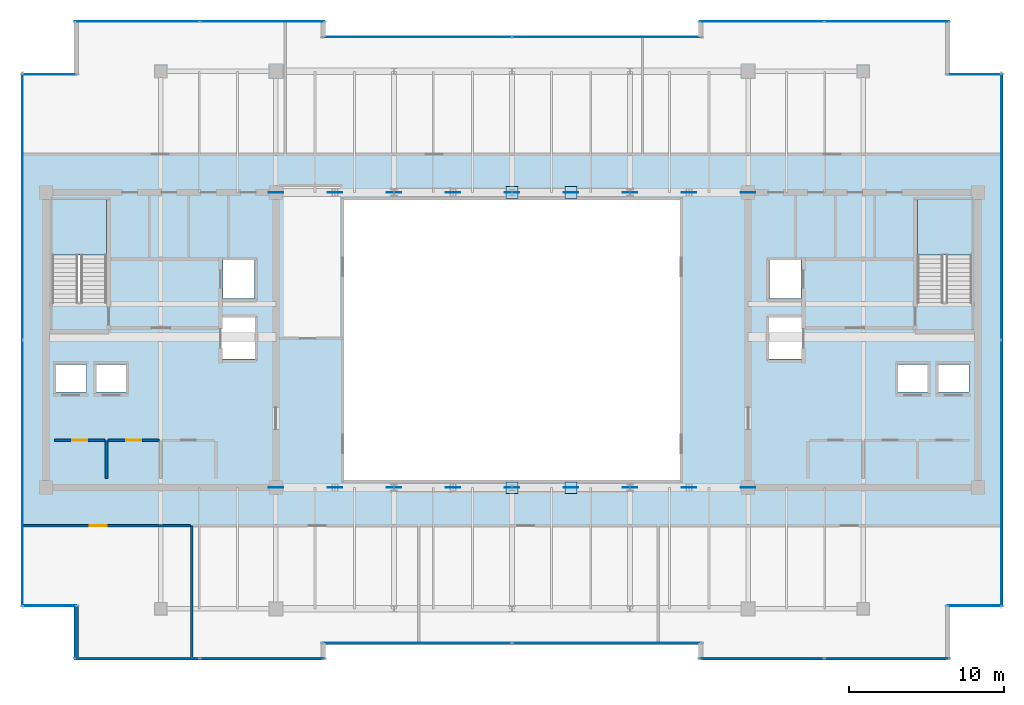
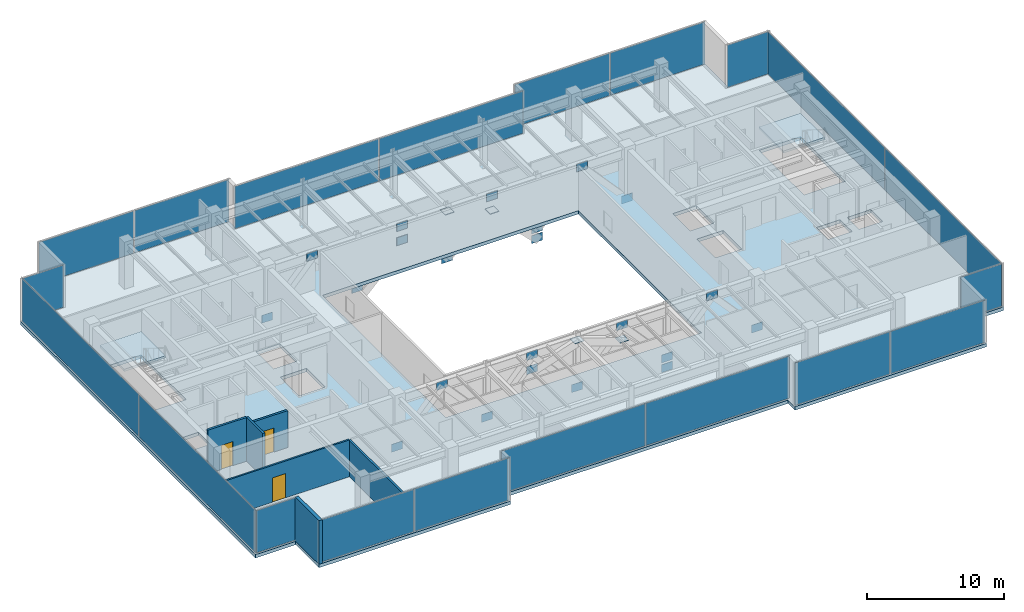
# One storey, part 25 of 32: 46 plates, 6 walls, 3 doors, 3 slabs, 3 openings, 14 elements without a shape of their own.
"""IFC4 building model written with IfcOpenShell, lengths in metres."""

from ifc_helpers import new_model, si_unit, direction, frame, frame_2d, origin, origin_2d, place, context, subcontext, project, spatial, polyline, rectangle, outline, extrude, source, transform, mapped, material, layer, layer_set, type_object, type_shapes, element, fill, aggregate, save


model = new_model("IFC4")

# Units and contexts
model_context = context("Model", 3, precision=1e-05, world=origin(), true_north=direction((0.0, 1.0)))
body_context = subcontext(model_context, "Body", "Model", "MODEL_VIEW")
ifc_project = project(units=[si_unit("LENGTHUNIT", "METRE"), si_unit("AREAUNIT", "SQUARE_METRE"), si_unit("VOLUMEUNIT", "CUBIC_METRE"), si_unit("PLANEANGLEUNIT", "RADIAN"), si_unit("MASSUNIT", "GRAM", prefix="KILO")], contexts=[model_context])

# Site, building, storey
site_placement = place(None, origin())
site = spatial("IfcSite", under=ifc_project, at=site_placement, CompositionType="ELEMENT")
building_placement = place(site_placement, origin())
building = spatial("IfcBuilding", under=site, at=building_placement, Name="Haelvirn Gate Laboratories", CompositionType="ELEMENT")
storey_placement = place(building_placement, frame((0.0, 0.0, 314.39990234375)))
storey = spatial("IfcBuildingStorey", under=building, at=storey_placement, Name="L75", CompositionType="ELEMENT", Elevation=314.39990234375)

# Stair, slab
ifc_material_1 = material(Name="Concrete C40/50", Category="concrete")
stair_type = type_object("IfcStairType", Name="ST-DOG-1650-R24", PredefinedType="HALF_TURN_STAIR", material=ifc_material_1)
stair_1_placement = place(storey_placement, origin())
stair_1 = element("IfcStair", 1, at=stair_1_placement, inside=storey, type_object=stair_type, Name="L75 Escape Stair ST1", PredefinedType="HALF_TURN_STAIR")
ifc_layer_1 = layer(ifc_material_1, 0.199951171875, Name="SL-STAIR-LND")
ifc_layer_set_1 = layer_set([ifc_layer_1], Name="Concrete C40/50")
slab_type_1 = type_object("IfcSlabType", Name="SL-STAIR-LND", PredefinedType="LANDING", material=ifc_layer_set_1)
slab_1_placement = place(storey_placement, frame((0.0, 0.0, 1.900146484375)))
slab_1 = element("IfcSlab", 2, at=slab_1_placement, type_object=slab_type_1, Name="ST1 landing 1", PredefinedType="LANDING", context=body_context, shape_type="SweptSolid", body=[
    extrude(outline(polyline([(11.300048828125, 29.780029296875), (11.300048828125, 33.35009765625), (7.800048828125, 33.35009765625), (7.800048828125, 29.780029296875), (11.300048828125, 29.780029296875)])), origin(), (0.0, 0.0, 1.0), 0.199951171875),
])
aggregate(stair_1, [slab_1])

stair_2_placement = place(storey_placement, origin())
stair_2 = element("IfcStair", 3, at=stair_2_placement, inside=storey, type_object=stair_type, Name="L75 Escape Stair ST2", PredefinedType="HALF_TURN_STAIR")
slab_2_placement = place(storey_placement, frame((0.0, 0.0, 1.900146484375)))
slab_2 = element("IfcSlab", 4, at=slab_2_placement, type_object=slab_type_1, Name="ST2 landing 1", PredefinedType="LANDING", context=body_context, shape_type="SweptSolid", body=[
    extrude(outline(polyline([(67.0, 29.780029296875), (67.0, 33.35009765625), (63.5, 33.35009765625), (63.5, 29.780029296875), (67.0, 29.780029296875)])), origin(), (0.0, 0.0, 1.0), 0.199951171875),
])
aggregate(stair_2, [slab_2])

# Slab
ifc_layer_2 = layer(ifc_material_1, 0.300048828125, Name="SL-Z3-300")
ifc_layer_set_2 = layer_set([ifc_layer_2], Name="Concrete C40/50")
slab_type_2 = type_object("IfcSlabType", Name="SL-Z3-300", PredefinedType="FLOOR", material=ifc_layer_set_2)
slab_3_placement = place(storey_placement, frame((0.0, 0.0, -0.2998046875)))
element("IfcSlab", 5, at=slab_3_placement, inside=storey, type_object=slab_type_2, Name="L75 Structural Slab MAIN", PredefinedType="FLOOR", context=body_context, shape_type="SweptSolid", body=[
    extrude(outline(polyline([(9.199951171875, 3.699951171875), (25.39990234375, 3.699951171875), (25.39990234375, 4.699951171875), (49.39990234375, 4.699951171875), (49.39990234375, 3.699951171875), (65.60009765625, 3.699951171875), (65.60009765625, 7.10009765625), (69.0, 7.10009765625), (69.0, 41.5), (65.60009765625, 41.5), (65.60009765625, 44.89990234375), (49.39990234375, 44.89990234375), (49.39990234375, 43.89990234375), (25.39990234375, 43.89990234375), (25.39990234375, 44.89990234375), (9.199951171875, 44.89990234375), (9.199951171875, 41.5), (5.800048828125, 41.5), (5.800048828125, 7.10009765625), (9.199951171875, 7.10009765625), (9.199951171875, 3.699951171875)]), holes=[polyline([(26.60009765625, 15.300048828125), (48.199951171875, 15.300048828125), (48.199951171875, 33.300048828125), (26.60009765625, 33.300048828125), (26.60009765625, 15.300048828125)]), polyline([(11.300048828125, 26.780029296875), (11.300048828125, 33.35009765625), (7.800048828125, 33.35009765625), (7.800048828125, 26.780029296875), (11.300048828125, 26.780029296875)]), polyline([(67.0, 26.780029296875), (67.0, 33.35009765625), (63.5, 33.35009765625), (63.5, 26.780029296875), (67.0, 26.780029296875)]), polyline([(7.989990234375, 20.969970703125), (10.010009765625, 20.969970703125), (10.010009765625, 22.7099609375), (7.989990234375, 22.7099609375), (7.989990234375, 20.969970703125)]), polyline([(10.590087890625, 20.969970703125), (12.610107421875, 20.969970703125), (12.610107421875, 22.7099609375), (10.590087890625, 22.7099609375), (10.590087890625, 20.969970703125)]), polyline([(18.7900390625, 26.969970703125), (20.81005859375, 26.969970703125), (20.81005859375, 29.510009765625), (18.7900390625, 29.510009765625), (18.7900390625, 26.969970703125)]), polyline([(18.68994140625, 23.070068359375), (20.909912109375, 23.070068359375), (20.909912109375, 25.81005859375), (18.68994140625, 25.81005859375), (18.68994140625, 23.070068359375)]), polyline([(64.7900390625, 20.969970703125), (66.81005859375, 20.969970703125), (66.81005859375, 22.7099609375), (64.7900390625, 22.7099609375), (64.7900390625, 20.969970703125)]), polyline([(62.18994140625, 20.969970703125), (64.2099609375, 20.969970703125), (64.2099609375, 22.7099609375), (62.18994140625, 22.7099609375), (62.18994140625, 20.969970703125)]), polyline([(53.989990234375, 26.969970703125), (56.010009765625, 26.969970703125), (56.010009765625, 29.510009765625), (53.989990234375, 29.510009765625), (53.989990234375, 26.969970703125)]), polyline([(53.889892578125, 23.070068359375), (56.110107421875, 23.070068359375), (56.110107421875, 25.81005859375), (53.889892578125, 25.81005859375), (53.889892578125, 23.070068359375)])]), origin(), (0.0, 0.0, 1.0), 0.2998046875),
])

# Plates
ifc_material_2 = material(Name="Steel SM420", Category="steel")
ifc_layer_3 = layer(ifc_material_2, 0.033935546875, Name="PL-NODE-AN2")
ifc_layer_set_3 = layer_set([ifc_layer_3], Name="Steel SM420")
plate_type_1 = type_object("IfcPlateType", Name="PL-NODE-AN2", PredefinedType="USERDEFINED", material=ifc_layer_set_3)
shared_shape_1 = source(origin(), body_context, "Body", "SweptSolid", [
    extrude(rectangle(XDim=0.919921875, YDim=0.033935546875, at=origin_2d()), origin(), (0.0, 0.0, 1.0), 0.699951171875),
])
type_shapes(plate_type_1, [shared_shape_1])
for number, where, z_axis, x_axis, name in (
    (6, (33.60009765625, 14.800048828125, 1.83447265625), (0.0, 0.0, 1.0), (1.0, 0.0, 0.0), "L75 Steel Truss Node Plate AN2"),
    (7, (45.0, 14.800048828125, -1.96240234375), (0.0, 0.0, 1.0), (1.0, 0.0, 0.0), "L75 Steel Truss Node Plate AN2"),
    (8, (22.199951171875, 14.800048828125, -1.10009765625), (0.0, 0.0, 1.0), (1.0, 0.0, 0.0), "L75 Steel Truss Node Plate AN2"),
    (9, (26.0, 14.800048828125, 3.10009765625), (0.0, 0.0, 1.0), (1.0, 0.0, 0.0), "L75 Steel Truss Node Plate AN2"),
    (10, (29.800048828125, 14.800048828125, -1.10009765625), (0.0, 0.0, 1.0), (1.0, 0.0, 0.0), "L75 Steel Truss Node Plate AN2"),
    (11, (33.60009765625, 14.800048828125, 3.10009765625), (0.0, 0.0, 1.0), (1.0, 0.0, 0.0), "L75 Steel Truss Node Plate AN2"),
    (12, (37.39990234375, 14.800048828125, -1.10009765625), (0.0, 0.0, 1.0), (1.0, 0.0, 0.0), "L75 Steel Truss Node Plate AN2"),
    (13, (41.199951171875, 14.800048828125, 3.10009765625), (0.0, 0.0, 1.0), (1.0, 0.0, 0.0), "L75 Steel Truss Node Plate AN2"),
    (14, (45.0, 14.800048828125, -1.10009765625), (0.0, 0.0, 1.0), (1.0, 0.0, 0.0), "L75 Steel Truss Node Plate AN2"),
    (15, (48.800048828125, 14.800048828125, 3.10009765625), (0.0, 0.0, 1.0), (1.0, 0.0, 0.0), "L75 Steel Truss Node Plate AN2"),
    (16, (52.60009765625, 14.800048828125, -1.10009765625), (0.0, 0.0, 1.0), (1.0, 0.0, 0.0), "L75 Steel Truss Node Plate AN2"),
    (17, (33.60009765625, 33.800048828125, 1.83447265625), (0.0, 0.0, 1.0), (1.0, 0.0, 0.0), "L75 Steel Truss Node Plate AN2"),
    (18, (45.0, 33.800048828125, -1.96240234375), (0.0, 0.0, 1.0), (1.0, 0.0, 0.0), "L75 Steel Truss Node Plate AN2"),
    (19, (22.199951171875, 33.800048828125, -1.10009765625), (0.0, 0.0, 1.0), (1.0, 0.0, 0.0), "L75 Steel Truss Node Plate AN2"),
    (20, (26.0, 33.800048828125, 3.10009765625), (0.0, 0.0, 1.0), (1.0, 0.0, 0.0), "L75 Steel Truss Node Plate AN2"),
    (21, (29.800048828125, 33.800048828125, -1.10009765625), (0.0, 0.0, 1.0), (1.0, 0.0, 0.0), "L75 Steel Truss Node Plate AN2"),
    (22, (33.60009765625, 33.800048828125, 3.10009765625), (0.0, 0.0, 1.0), (1.0, 0.0, 0.0), "L75 Steel Truss Node Plate AN2"),
    (23, (37.39990234375, 33.800048828125, -1.10009765625), (0.0, 0.0, 1.0), (1.0, 0.0, 0.0), "L75 Steel Truss Node Plate AN2"),
    (24, (41.199951171875, 33.800048828125, 3.10009765625), (0.0, 0.0, 1.0), (1.0, 0.0, 0.0), "L75 Steel Truss Node Plate AN2"),
    (25, (45.0, 33.800048828125, -1.10009765625), (0.0, 0.0, 1.0), (1.0, 0.0, 0.0), "L75 Steel Truss Node Plate AN2"),
    (26, (48.800048828125, 33.800048828125, 3.10009765625), (0.0, 0.0, 1.0), (1.0, 0.0, 0.0), "L75 Steel Truss Node Plate AN2"),
    (27, (52.60009765625, 33.800048828125, -1.10009765625), (0.0, 0.0, 1.0), (1.0, 0.0, 0.0), "L75 Steel Truss Node Plate AN2"),
):
    element("IfcPlate", number, at=place(storey_placement, frame(where, z_axis=z_axis, x_axis=x_axis)), inside=storey, type_object=plate_type_1, Name=name, ObjectType="GUSSET_PLATE", PredefinedType="USERDEFINED", context=body_context, shape_type="MappedRepresentation", body=[
        mapped(shared_shape_1, transform((0.0, 0.0, 0.0), scale=1.0)),
    ])
ifc_layer_4 = layer(ifc_material_2, 0.031982421875, Name="PL-NODE-AN3")
ifc_layer_set_4 = layer_set([ifc_layer_4], Name="Steel SM420")
plate_type_2 = type_object("IfcPlateType", Name="PL-NODE-AN3", PredefinedType="SHEET", material=ifc_layer_set_4)
shared_shape_2 = source(origin(), body_context, "Body", "SweptSolid", [
    extrude(rectangle(XDim=0.75, YDim=0.75, at=origin_2d()), origin(), (0.0, 0.0, 1.0), 0.031982421875),
])
type_shapes(plate_type_2, [shared_shape_2])
for number, where, z_axis, x_axis, name in (
    (28, (37.39990234375, 14.800048828125, 3.43408203125), (0.0, 0.0, 1.0), (1.0, 0.0, 0.0), "L75 Steel Truss Node Plate AN3"),
    (29, (41.199951171875, 14.800048828125, 2.16845703125), (0.0, 0.0, 1.0), (1.0, 0.0, 0.0), "L75 Steel Truss Node Plate AN3"),
    (30, (37.39990234375, 33.800048828125, 3.43408203125), (0.0, 0.0, 1.0), (1.0, 0.0, 0.0), "L75 Steel Truss Node Plate AN3"),
    (31, (41.199951171875, 33.800048828125, 2.16845703125), (0.0, 0.0, 1.0), (1.0, 0.0, 0.0), "L75 Steel Truss Node Plate AN3"),
):
    element("IfcPlate", number, at=place(storey_placement, frame(where, z_axis=z_axis, x_axis=x_axis)), inside=storey, type_object=plate_type_2, Name=name, PredefinedType="SHEET", context=body_context, shape_type="MappedRepresentation", body=[
        mapped(shared_shape_2, transform((0.0, 0.0, 0.0), scale=1.0)),
    ])

# Curtain wall, plates
ifc_material_3 = material(Name="Anodised bronze unitised aluminium & triple low-E glass", Category="aluminium")
ifc_layer_5 = layer(ifc_material_3, 0.176025390625, Name="CW-SYS-4")
ifc_layer_set_5 = layer_set([ifc_layer_5], Name="Anodised bronze unitised aluminium & triple low-E glass")
curtain_wall_type_1 = type_object("IfcCurtainWallType", Name="CW-SYS-4", PredefinedType="NOTDEFINED", material=ifc_layer_set_5)
curtain_wall_1_placement = place(storey_placement, origin())
curtain_wall_1 = element("IfcCurtainWall", 32, at=curtain_wall_1_placement, inside=storey, type_object=curtain_wall_type_1, Name="L75 Unitised Curtain Wall CW-L75-P0-E02-1", PredefinedType="NOTDEFINED")
ifc_material_4 = material(Name="Acoustic laminated bronze triple IGU 36 mm", Category="glass")
ifc_layer_6 = layer(ifc_material_4, 0.035888671875, Name="CWP-IGU-36")
ifc_layer_set_6 = layer_set([ifc_layer_6], Name="Acoustic laminated bronze triple IGU 36 mm")
plate_type_3 = type_object("IfcPlateType", Name="CWP-IGU-36", PredefinedType="CURTAIN_PANEL", material=ifc_layer_set_6)
shared_shape_3 = source(origin(), body_context, "Body", "SweptSolid", [
    extrude(rectangle(XDim=12.135009765625, YDim=0.035888671875, at=origin_2d()), origin(), (0.0, 0.0, 1.0), 3.77001953125),
])
plate_1_placement = place(storey_placement, frame((31.297607421875, 4.800048828125, 0.065185546875), z_axis=(0.0, 0.0, 1.0), x_axis=(1.0, 0.0, 0.0)))
plate_1 = element("IfcPlate", 33, at=plate_1_placement, type_object=plate_type_3, Name="CW4 panel 1.1", PredefinedType="CURTAIN_PANEL", context=body_context, shape_type="MappedRepresentation", body=[
    mapped(shared_shape_3, transform((0.0, 0.0, 0.0), scale=1.0)),
])
plate_2_placement = place(storey_placement, frame((43.50244140625, 4.800048828125, 0.065185546875), z_axis=(0.0, 0.0, 1.0), x_axis=(1.0, 0.0, 0.0)))
plate_2 = element("IfcPlate", 34, at=plate_2_placement, type_object=plate_type_3, Name="CW4 panel 2.1", PredefinedType="CURTAIN_PANEL", context=body_context, shape_type="MappedRepresentation", body=[
    mapped(shared_shape_3, transform((0.0, 0.0, 0.0), scale=1.0)),
])
aggregate(curtain_wall_1, [plate_1, plate_2])

curtain_wall_2_placement = place(storey_placement, origin())
curtain_wall_2 = element("IfcCurtainWall", 35, at=curtain_wall_2_placement, inside=storey, type_object=curtain_wall_type_1, Name="L75 Unitised Curtain Wall CW-L75-P0-E12-1", PredefinedType="NOTDEFINED")
plate_3_placement = place(storey_placement, frame((31.297607421875, 43.800048828125, 0.065185546875), z_axis=(0.0, 0.0, 1.0), x_axis=(1.0, 0.0, 0.0)))
plate_3 = element("IfcPlate", 36, at=plate_3_placement, type_object=plate_type_3, Name="CW4 panel 1.1", PredefinedType="CURTAIN_PANEL", context=body_context, shape_type="MappedRepresentation", body=[
    mapped(shared_shape_3, transform((0.0, 0.0, 0.0), scale=1.0)),
])
plate_4_placement = place(storey_placement, frame((43.50244140625, 43.800048828125, 0.065185546875), z_axis=(0.0, 0.0, 1.0), x_axis=(1.0, 0.0, 0.0)))
plate_4 = element("IfcPlate", 37, at=plate_4_placement, type_object=plate_type_3, Name="CW4 panel 2.1", PredefinedType="CURTAIN_PANEL", context=body_context, shape_type="MappedRepresentation", body=[
    mapped(shared_shape_3, transform((0.0, 0.0, 0.0), scale=1.0)),
])
aggregate(curtain_wall_2, [plate_3, plate_4])

# Curtain wall, plate
ifc_layer_7 = layer(ifc_material_3, 0.181884765625, Name="CW-SYS-5")
ifc_layer_set_7 = layer_set([ifc_layer_7], Name="Anodised bronze unitised aluminium & triple low-E glass")
curtain_wall_type_2 = type_object("IfcCurtainWallType", Name="CW-SYS-5", PredefinedType="NOTDEFINED", material=ifc_layer_set_7)
curtain_wall_3_placement = place(storey_placement, origin())
curtain_wall_3 = element("IfcCurtainWall", 38, at=curtain_wall_3_placement, inside=storey, type_object=curtain_wall_type_2, Name="L75 Unitised Curtain Wall CW-L75-P0-E06-1", PredefinedType="NOTDEFINED")
ifc_material_5 = material(Name="Clear low-iron notched-corner triple IGU 42 mm", Category="glass")
ifc_layer_8 = layer(ifc_material_5, 0.0419921875, Name="CWP-NTC-42")
ifc_layer_set_8 = layer_set([ifc_layer_8], Name="Clear low-iron notched-corner triple IGU 42 mm")
plate_type_4 = type_object("IfcPlateType", Name="CWP-NTC-42", PredefinedType="CURTAIN_PANEL", material=ifc_layer_set_8)
shared_shape_4 = source(origin(), body_context, "Body", "SweptSolid", [
    extrude(rectangle(XDim=3.47998046875, YDim=0.0419921875, at=origin_2d()), origin(), (0.0, 0.0, 1.0), 3.77001953125),
])
type_shapes(plate_type_4, [shared_shape_4])
plate_5_placement = place(storey_placement, frame((67.179931640625, 7.199951171875, 0.065185546875), z_axis=(0.0, 0.0, 1.0), x_axis=(1.0, 0.0, 0.0)))
plate_5 = element("IfcPlate", 39, at=plate_5_placement, type_object=plate_type_4, Name="CW5 panel 1.1", PredefinedType="CURTAIN_PANEL", context=body_context, shape_type="MappedRepresentation", body=[
    mapped(shared_shape_4, transform((0.0, 0.0, 0.0), scale=1.0)),
])
aggregate(curtain_wall_3, [plate_5])

curtain_wall_4_placement = place(storey_placement, origin())
curtain_wall_4 = element("IfcCurtainWall", 40, at=curtain_wall_4_placement, inside=storey, type_object=curtain_wall_type_2, Name="L75 Unitised Curtain Wall CW-L75-P0-E08-1", PredefinedType="NOTDEFINED")
plate_6_placement = place(storey_placement, frame((67.179931640625, 41.39990234375, 0.065185546875), z_axis=(0.0, 0.0, 1.0), x_axis=(1.0, 0.0, 0.0)))
plate_6 = element("IfcPlate", 41, at=plate_6_placement, type_object=plate_type_4, Name="CW5 panel 1.1", PredefinedType="CURTAIN_PANEL", context=body_context, shape_type="MappedRepresentation", body=[
    mapped(shared_shape_4, transform((0.0, 0.0, 0.0), scale=1.0)),
])
aggregate(curtain_wall_4, [plate_6])

curtain_wall_5_placement = place(storey_placement, origin())
curtain_wall_5 = element("IfcCurtainWall", 42, at=curtain_wall_5_placement, inside=storey, type_object=curtain_wall_type_2, Name="L75 Unitised Curtain Wall CW-L75-P0-E16-1", PredefinedType="NOTDEFINED")
plate_7_placement = place(storey_placement, frame((7.6201171875, 41.39990234375, 0.065185546875), z_axis=(0.0, 0.0, 1.0), x_axis=(1.0, 0.0, 0.0)))
plate_7 = element("IfcPlate", 43, at=plate_7_placement, type_object=plate_type_4, Name="CW5 panel 1.1", PredefinedType="CURTAIN_PANEL", context=body_context, shape_type="MappedRepresentation", body=[
    mapped(shared_shape_4, transform((0.0, 0.0, 0.0), scale=1.0)),
])
aggregate(curtain_wall_5, [plate_7])

curtain_wall_6_placement = place(storey_placement, origin())
curtain_wall_6 = element("IfcCurtainWall", 44, at=curtain_wall_6_placement, inside=storey, type_object=curtain_wall_type_2, Name="L75 Unitised Curtain Wall CW-L75-P0-E18-1", PredefinedType="NOTDEFINED")
plate_8_placement = place(storey_placement, frame((7.6201171875, 7.199951171875, 0.065185546875), z_axis=(0.0, 0.0, 1.0), x_axis=(1.0, 0.0, 0.0)))
plate_8 = element("IfcPlate", 45, at=plate_8_placement, type_object=plate_type_4, Name="CW5 panel 1.1", PredefinedType="CURTAIN_PANEL", context=body_context, shape_type="MappedRepresentation", body=[
    mapped(shared_shape_4, transform((0.0, 0.0, 0.0), scale=1.0)),
])
aggregate(curtain_wall_6, [plate_8])

# Curtain wall, plates
curtain_wall_7_placement = place(storey_placement, origin())
curtain_wall_7 = element("IfcCurtainWall", 46, at=curtain_wall_7_placement, inside=storey, type_object=curtain_wall_type_1, Name="L75 Unitised Curtain Wall CW-L75-P0-E07", PredefinedType="NOTDEFINED")
shared_shape_5 = source(origin(), body_context, "Body", "SweptSolid", [
    extrude(rectangle(XDim=17.094970703125, YDim=0.035888671875, at=origin_2d()), origin(), (0.0, 0.0, 1.0), 3.77001953125),
])
plate_9_placement = place(storey_placement, frame((68.89990234375, 15.717529296875, 0.065185546875), z_axis=(0.0, 0.0, 1.0), x_axis=(0.0, 1.0, 0.0)))
plate_9 = element("IfcPlate", 47, at=plate_9_placement, type_object=plate_type_3, Name="CW4 panel 1.1", PredefinedType="CURTAIN_PANEL", context=body_context, shape_type="MappedRepresentation", body=[
    mapped(shared_shape_5, transform((0.0, 0.0, 0.0), scale=1.0)),
])
plate_10_placement = place(storey_placement, frame((68.89990234375, 32.882568359375, 0.065185546875), z_axis=(0.0, 0.0, 1.0), x_axis=(0.0, 1.0, 0.0)))
plate_10 = element("IfcPlate", 48, at=plate_10_placement, type_object=plate_type_3, Name="CW4 panel 2.1", PredefinedType="CURTAIN_PANEL", context=body_context, shape_type="MappedRepresentation", body=[
    mapped(shared_shape_5, transform((0.0, 0.0, 0.0), scale=1.0)),
])
aggregate(curtain_wall_7, [plate_9, plate_10])

curtain_wall_8_placement = place(storey_placement, origin())
curtain_wall_8 = element("IfcCurtainWall", 49, at=curtain_wall_8_placement, inside=storey, type_object=curtain_wall_type_1, Name="L75 Unitised Curtain Wall CW-L75-P0-E17", PredefinedType="NOTDEFINED")
plate_11_placement = place(storey_placement, frame((5.89990234375, 32.882568359375, 0.065185546875), z_axis=(0.0, 0.0, 1.0), x_axis=(0.0, -1.0, 0.0)))
plate_11 = element("IfcPlate", 50, at=plate_11_placement, type_object=plate_type_3, Name="CW4 panel 1.1", PredefinedType="CURTAIN_PANEL", context=body_context, shape_type="MappedRepresentation", body=[
    mapped(shared_shape_5, transform((0.0, 0.0, 0.0), scale=1.0)),
])
plate_12_placement = place(storey_placement, frame((5.89990234375, 15.717529296875, 0.065185546875), z_axis=(0.0, 0.0, 1.0), x_axis=(0.0, -1.0, 0.0)))
plate_12 = element("IfcPlate", 51, at=plate_12_placement, type_object=plate_type_3, Name="CW4 panel 2.1", PredefinedType="CURTAIN_PANEL", context=body_context, shape_type="MappedRepresentation", body=[
    mapped(shared_shape_5, transform((0.0, 0.0, 0.0), scale=1.0)),
])
aggregate(curtain_wall_8, [plate_11, plate_12])

curtain_wall_9_placement = place(storey_placement, origin())
curtain_wall_9 = element("IfcCurtainWall", 52, at=curtain_wall_9_placement, inside=storey, type_object=curtain_wall_type_1, Name="L75 Unitised Curtain Wall CW-L75-P0-E00-1", PredefinedType="NOTDEFINED")
shared_shape_6 = source(origin(), body_context, "Body", "SweptSolid", [
    extrude(rectangle(XDim=7.9951171875, YDim=0.035888671875, at=origin_2d()), origin(), (0.0, 0.0, 1.0), 3.77001953125),
])
type_shapes(plate_type_3, [shared_shape_3, shared_shape_5, shared_shape_6])
plate_13_placement = place(storey_placement, frame((13.267578125, 3.800048828125, 0.065185546875), z_axis=(0.0, 0.0, 1.0), x_axis=(1.0, 0.0, 0.0)))
plate_13 = element("IfcPlate", 53, at=plate_13_placement, type_object=plate_type_3, Name="CW4 panel 1.1", PredefinedType="CURTAIN_PANEL", context=body_context, shape_type="MappedRepresentation", body=[
    mapped(shared_shape_6, transform((0.0, 0.0, 0.0), scale=1.0)),
])
plate_14_placement = place(storey_placement, frame((21.33251953125, 3.800048828125, 0.065185546875), z_axis=(0.0, 0.0, 1.0), x_axis=(1.0, 0.0, 0.0)))
plate_14 = element("IfcPlate", 54, at=plate_14_placement, type_object=plate_type_3, Name="CW4 panel 2.1", PredefinedType="CURTAIN_PANEL", context=body_context, shape_type="MappedRepresentation", body=[
    mapped(shared_shape_6, transform((0.0, 0.0, 0.0), scale=1.0)),
])
aggregate(curtain_wall_9, [plate_13, plate_14])

curtain_wall_10_placement = place(storey_placement, origin())
curtain_wall_10 = element("IfcCurtainWall", 55, at=curtain_wall_10_placement, inside=storey, type_object=curtain_wall_type_1, Name="L75 Unitised Curtain Wall CW-L75-P0-E04-1", PredefinedType="NOTDEFINED")
plate_15_placement = place(storey_placement, frame((53.467529296875, 3.800048828125, 0.065185546875), z_axis=(0.0, 0.0, 1.0), x_axis=(1.0, 0.0, 0.0)))
plate_15 = element("IfcPlate", 56, at=plate_15_placement, type_object=plate_type_3, Name="CW4 panel 1.1", PredefinedType="CURTAIN_PANEL", context=body_context, shape_type="MappedRepresentation", body=[
    mapped(shared_shape_6, transform((0.0, 0.0, 0.0), scale=1.0)),
])
plate_16_placement = place(storey_placement, frame((61.532470703125, 3.800048828125, 0.065185546875), z_axis=(0.0, 0.0, 1.0), x_axis=(1.0, 0.0, 0.0)))
plate_16 = element("IfcPlate", 57, at=plate_16_placement, type_object=plate_type_3, Name="CW4 panel 2.1", PredefinedType="CURTAIN_PANEL", context=body_context, shape_type="MappedRepresentation", body=[
    mapped(shared_shape_6, transform((0.0, 0.0, 0.0), scale=1.0)),
])
aggregate(curtain_wall_10, [plate_15, plate_16])

curtain_wall_11_placement = place(storey_placement, origin())
curtain_wall_11 = element("IfcCurtainWall", 58, at=curtain_wall_11_placement, inside=storey, type_object=curtain_wall_type_1, Name="L75 Unitised Curtain Wall CW-L75-P0-E10-1", PredefinedType="NOTDEFINED")
plate_17_placement = place(storey_placement, frame((53.467529296875, 44.800048828125, 0.065185546875), z_axis=(0.0, 0.0, 1.0), x_axis=(1.0, 0.0, 0.0)))
plate_17 = element("IfcPlate", 59, at=plate_17_placement, type_object=plate_type_3, Name="CW4 panel 1.1", PredefinedType="CURTAIN_PANEL", context=body_context, shape_type="MappedRepresentation", body=[
    mapped(shared_shape_6, transform((0.0, 0.0, 0.0), scale=1.0)),
])
plate_18_placement = place(storey_placement, frame((61.532470703125, 44.800048828125, 0.065185546875), z_axis=(0.0, 0.0, 1.0), x_axis=(1.0, 0.0, 0.0)))
plate_18 = element("IfcPlate", 60, at=plate_18_placement, type_object=plate_type_3, Name="CW4 panel 2.1", PredefinedType="CURTAIN_PANEL", context=body_context, shape_type="MappedRepresentation", body=[
    mapped(shared_shape_6, transform((0.0, 0.0, 0.0), scale=1.0)),
])
aggregate(curtain_wall_11, [plate_17, plate_18])

curtain_wall_12_placement = place(storey_placement, origin())
curtain_wall_12 = element("IfcCurtainWall", 61, at=curtain_wall_12_placement, inside=storey, type_object=curtain_wall_type_1, Name="L75 Unitised Curtain Wall CW-L75-P0-E14-1", PredefinedType="NOTDEFINED")
plate_19_placement = place(storey_placement, frame((13.267578125, 44.800048828125, 0.065185546875), z_axis=(0.0, 0.0, 1.0), x_axis=(1.0, 0.0, 0.0)))
plate_19 = element("IfcPlate", 62, at=plate_19_placement, type_object=plate_type_3, Name="CW4 panel 1.1", PredefinedType="CURTAIN_PANEL", context=body_context, shape_type="MappedRepresentation", body=[
    mapped(shared_shape_6, transform((0.0, 0.0, 0.0), scale=1.0)),
])
plate_20_placement = place(storey_placement, frame((21.33251953125, 44.800048828125, 0.065185546875), z_axis=(0.0, 0.0, 1.0), x_axis=(1.0, 0.0, 0.0)))
plate_20 = element("IfcPlate", 63, at=plate_20_placement, type_object=plate_type_3, Name="CW4 panel 2.1", PredefinedType="CURTAIN_PANEL", context=body_context, shape_type="MappedRepresentation", body=[
    mapped(shared_shape_6, transform((0.0, 0.0, 0.0), scale=1.0)),
])
aggregate(curtain_wall_12, [plate_19, plate_20])

# Walls
ifc_material_6 = material(Name="Thermally-broken bronze aluminium rainscreen & mineral wool", Category="aluminium")
ifc_layer_9 = layer(ifc_material_6, 0.280029296875, Name="EW-TERR-280")
ifc_layer_set_9 = layer_set([ifc_layer_9], Name="Thermally-broken bronze aluminium rainscreen & mineral wool")
wall_type_1 = type_object("IfcWallType", Name="EW-TERR-280", PredefinedType="STANDARD", material=ifc_layer_set_9)
wall_1_placement = place(storey_placement, frame((9.340087890625, 7.18798828125, 0.0), z_axis=(0.0, 0.0, 1.0), x_axis=(0.0, -1.0, 0.0)))
element("IfcWall", 64, at=wall_1_placement, inside=storey, type_object=wall_type_1, Name="L75 Atrium Recess Bronze Return Wall 19", PredefinedType="STANDARD", context=body_context, shape_type="SweptSolid", body=[
    extrude(rectangle(XDim=3.488037109375, YDim=0.280029296875, at=frame_2d((1.744140625, 0.0))), origin(), (0.0, 0.0, 1.0), 3.900146484375),
])
ifc_material_7 = material(Name="Double-layer acoustic gypsum laboratory partition", Category="gypsum")
ifc_layer_10 = layer(ifc_material_7, 0.159912109375, Name="IW-ACOUST-160")
ifc_layer_set_10 = layer_set([ifc_layer_10], Name="Double-layer acoustic gypsum laboratory partition")
wall_type_2 = type_object("IfcWallType", Name="IW-ACOUST-160", PredefinedType="PARTITIONING", material=ifc_layer_set_10)
wall_2_placement = place(storey_placement, frame((16.800048828125, 3.81005859375, 0.0), z_axis=(0.0, 0.0, 1.0), x_axis=(0.0, 1.0, 0.0)))
element("IfcWall", 65, at=wall_2_placement, inside=storey, type_object=wall_type_2, Name="L75 Interior Wall IW-L75-SDIV-01", PredefinedType="PARTITIONING", context=body_context, shape_type="SweptSolid", body=[
    extrude(rectangle(XDim=8.530029296875, YDim=0.159912109375, at=frame_2d((4.26513671875, 0.0))), origin(), (0.0, 0.0, 1.0), 3.235107421875),
])

# Wall, opening, door
ifc_material_8 = material(Name="Acoustic mineral-wool gypsum board partition", Category="gypsum")
ifc_layer_11 = layer(ifc_material_8, 0.139892578125, Name="IW-PART-140")
ifc_layer_set_11 = layer_set([ifc_layer_11], Name="Acoustic mineral-wool gypsum board partition")
wall_type_3 = type_object("IfcWallType", Name="IW-PART-140", PredefinedType="PARTITIONING", material=ifc_layer_set_11)
wall_3_placement = place(storey_placement, frame((5.909912109375, 12.340087890625, 0.0), z_axis=(0.0, 0.0, 1.0), x_axis=(1.0, 0.0, 0.0)))
wall_3 = element("IfcWall", 66, at=wall_3_placement, inside=storey, type_object=wall_type_3, Name="L75 Interior Wall IW-L75-SCORR-01", PredefinedType="PARTITIONING", context=body_context, shape_type="SweptSolid", body=[
    extrude(rectangle(XDim=10.81005859375, YDim=0.139892578125, at=frame_2d((5.405029296875, 0.0))), origin(), (0.0, 0.0, 1.0), 3.297119140625),
])
opening_1_placement = place(wall_3_placement, frame((4.314453125, 0.0, 0.0)))
opening_1 = element("IfcOpeningElement", 67, at=opening_1_placement, cuts=wall_3, Name="Opening D1", PredefinedType="OPENING", context=body_context, shape_type="SweptSolid", body=[
    extrude(rectangle(XDim=1.10009765625, YDim=2.179931640625, at=frame_2d((0.550048828125, 1.08984375))), frame((0.0, 0.080078125, 0.0), z_axis=(0.0, -1.0, 0.0), x_axis=(1.0, 0.0, 0.0)), (0.0, 0.0, 1.0), 0.159912109375),
])
ifc_material_9 = material(Name="Vision-panel acoustic solid-core timber lab door", Category="wood")
door_type_1 = type_object("IfcDoorType", Name="DR-LAB-1100", OperationType="NOTDEFINED", PredefinedType="DOOR", material=ifc_material_9)
shared_shape_7 = source(origin(), body_context, "Body", "SweptSolid", [
    extrude(rectangle(XDim=1.10009765625, YDim=2.179931640625, at=frame_2d((0.550048828125, 1.08984375))), frame((0.0, 0.02490234375, 0.0), z_axis=(0.0, -1.0, 0.0), x_axis=(1.0, 0.0, 0.0)), (0.0, 0.0, 1.0), 0.050048828125),
])
type_shapes(door_type_1, [shared_shape_7])
door_1_placement = place(opening_1_placement, origin())
door_1 = element("IfcDoor", 68, at=door_1_placement, inside=storey, type_object=door_type_1, Name="L75 Bioinformatics Dry-Lab Workspace Door S1", OperationType="SINGLE_SWING_RIGHT", OverallHeight=2.179931640625, OverallWidth=1.10009765625, PredefinedType="DOOR", context=body_context, shape_type="MappedRepresentation", body=[
    mapped(shared_shape_7, transform((0.0, 0.0, 0.0), scale=1.0)),
])
fill(opening_1, door_1)

ifc_layer_12 = layer(ifc_material_1, 0.179931640625, Name="IW-SHAFT-180")
ifc_layer_set_12 = layer_set([ifc_layer_12], Name="Concrete C40/50")
wall_type_4 = type_object("IfcWallType", Name="IW-SHAFT-180", PredefinedType="SOLIDWALL", material=ifc_layer_set_12)
wall_4_placement = place(storey_placement, frame((7.949951171875, 17.85009765625, 0.0), z_axis=(0.0, 0.0, 1.0), x_axis=(1.0, 0.0, 0.0)))
wall_4 = element("IfcWall", 69, at=wall_4_placement, inside=storey, type_object=wall_type_4, Name="L75 Interior Wall IW-L75-W-FREED-HN-1", PredefinedType="SOLIDWALL", context=body_context, shape_type="SweptSolid", body=[
    extrude(rectangle(XDim=3.25, YDim=0.179931640625, at=frame_2d((1.625, 0.0))), origin(), (0.0, 0.0, 1.0), 3.900146484375),
])
opening_2_placement = place(wall_4_placement, frame((1.14990234375, 0.0, 0.0)))
opening_2 = element("IfcOpeningElement", 70, at=opening_2_placement, cuts=wall_4, Name="Opening FD4", PredefinedType="OPENING", context=body_context, shape_type="SweptSolid", body=[
    extrude(rectangle(XDim=0.949951171875, YDim=2.14990234375, at=frame_2d((0.47509765625, 1.074951171875))), frame((0.0, 0.10009765625, 0.0), z_axis=(0.0, -1.0, 0.0), x_axis=(1.0, 0.0, 0.0)), (0.0, 0.0, 1.0), 0.199951171875),
])
ifc_material_10 = material(Name="Fire-rated steel SM355 core service door", Category="steel")
door_type_2 = type_object("IfcDoorType", Name="DR-FD-950", OperationType="NOTDEFINED", PredefinedType="DOOR", material=ifc_material_10)
shared_shape_8 = source(origin(), body_context, "Body", "SweptSolid", [
    extrude(rectangle(XDim=0.949951171875, YDim=2.14990234375, at=frame_2d((0.47509765625, 1.074951171875))), frame((0.0, 0.02490234375, 0.0), z_axis=(0.0, -1.0, 0.0), x_axis=(1.0, 0.0, 0.0)), (0.0, 0.0, 1.0), 0.050048828125),
])
type_shapes(door_type_2, [shared_shape_8])
door_2_placement = place(opening_2_placement, origin())
door_2 = element("IfcDoor", 71, at=door_2_placement, inside=storey, type_object=door_type_2, Name="L75 Autoclave Bio-Prep Room Door", OperationType="SINGLE_SWING_LEFT", OverallHeight=2.14990234375, OverallWidth=0.949951171875, PredefinedType="DOOR", context=body_context, shape_type="MappedRepresentation", body=[
    mapped(shared_shape_8, transform((0.0, 0.0, 0.0), scale=1.0)),
])
fill(opening_2, door_2)

# Wall
wall_5_placement = place(storey_placement, frame((11.2900390625, 15.39990234375, 0.0), z_axis=(0.0, 0.0, 1.0), x_axis=(0.0, 1.0, 0.0)))
element("IfcWall", 72, at=wall_5_placement, inside=storey, type_object=wall_type_4, Name="L75 Interior Wall IW-L75-W-FREED-HE-1", PredefinedType="SOLIDWALL", context=body_context, shape_type="SweptSolid", body=[
    extrude(rectangle(XDim=2.400146484375, YDim=0.179931640625, at=frame_2d((1.2001953125, 0.0))), origin(), (0.0, 0.0, 1.0), 3.900146484375),
])

# Wall, opening, door
wall_6_placement = place(storey_placement, frame((11.39990234375, 17.85009765625, 0.0), z_axis=(0.0, 0.0, 1.0), x_axis=(1.0, 0.0, 0.0)))
wall_6 = element("IfcWall", 73, at=wall_6_placement, inside=storey, type_object=wall_type_4, Name="L75 Interior Wall IW-L75-W-FREED-HN-2", PredefinedType="SOLIDWALL", context=body_context, shape_type="SweptSolid", body=[
    extrude(rectangle(XDim=3.300048828125, YDim=0.179931640625, at=frame_2d((1.64990234375, 0.0))), origin(), (0.0, 0.0, 1.0), 3.297119140625),
])
opening_3_placement = place(wall_6_placement, frame((1.175048828125, 0.0, 0.0)))
opening_3 = element("IfcOpeningElement", 74, at=opening_3_placement, cuts=wall_6, Name="Opening FD4", PredefinedType="OPENING", context=body_context, shape_type="SweptSolid", body=[
    extrude(rectangle(XDim=0.949951171875, YDim=2.14990234375, at=frame_2d((0.47509765625, 1.074951171875))), frame((0.0, 0.10009765625, 0.0), z_axis=(0.0, -1.0, 0.0), x_axis=(1.0, 0.0, 0.0)), (0.0, 0.0, 1.0), 0.199951171875),
])
door_3_placement = place(opening_3_placement, origin())
door_3 = element("IfcDoor", 75, at=door_3_placement, inside=storey, type_object=door_type_2, Name="L75 Telemetry Analytics Room Door", OperationType="SINGLE_SWING_RIGHT", OverallHeight=2.14990234375, OverallWidth=0.949951171875, PredefinedType="DOOR", context=body_context, shape_type="MappedRepresentation", body=[
    mapped(shared_shape_8, transform((0.0, 0.0, 0.0), scale=1.0)),
])
fill(opening_3, door_3)

save(model, "model.ifc")
